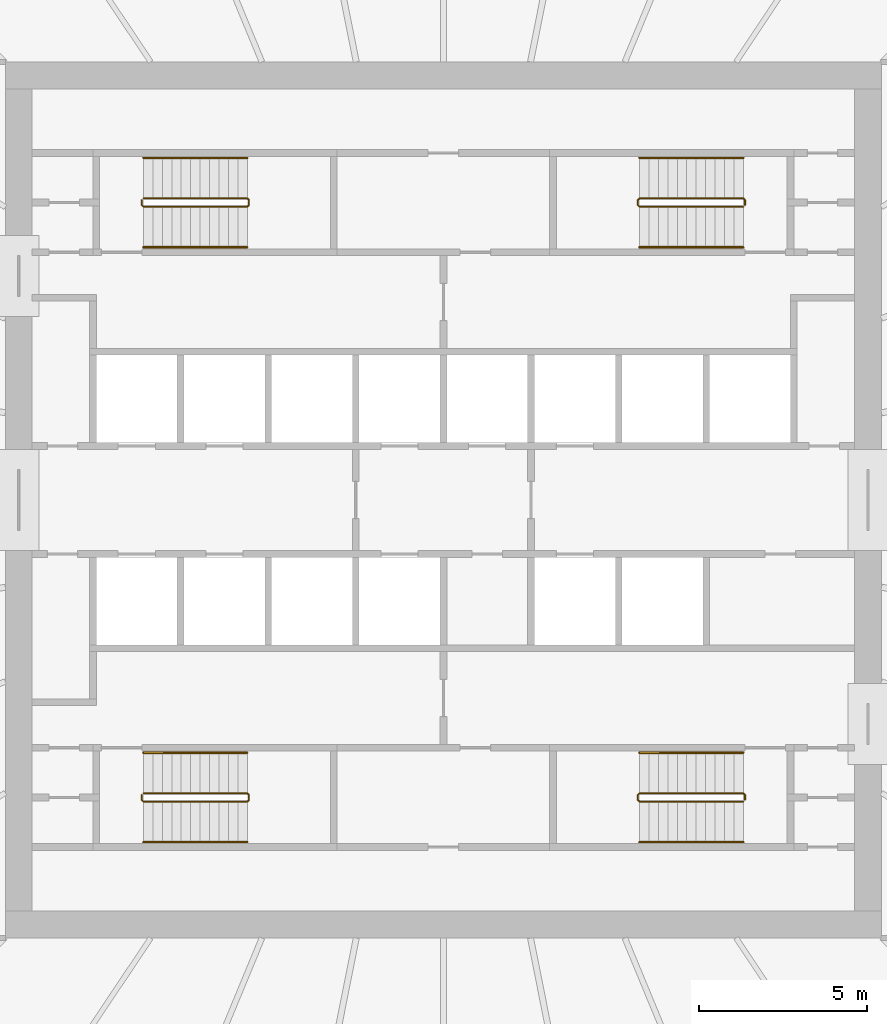
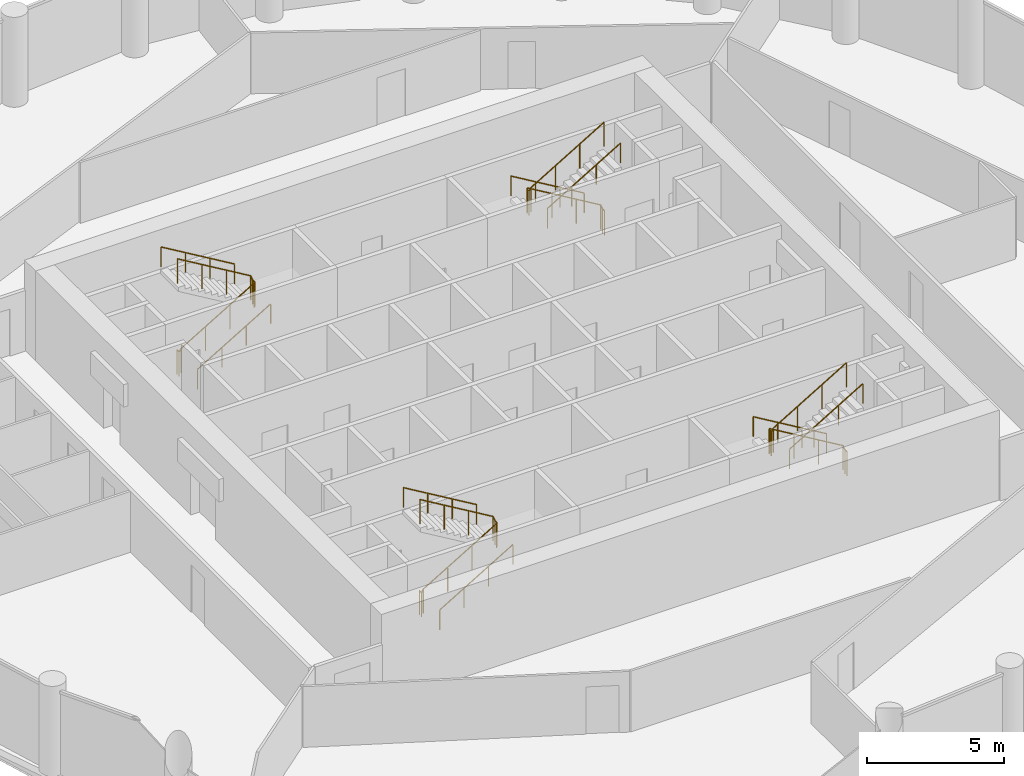
# One storey, part 8 of 8: 12 railings.
"""IFC4 building model written with IfcOpenShell, lengths in metres."""

import ifcopenshell
import ifcopenshell.guid

model = None  # the IFC model being written
_history = None  # IfcOwnerHistory: only IFC2X3 demands one
_inside = {}  # id of a spatial element -> (the spatial element, [elements in it])
_under = {}  # id of a project, library or spatial element -> (it, [spatial elements below it])
_declared = {}  # id of a project -> (the project, [libraries it declares])
_typed = {}  # id of a type object -> (the type object, [elements of that type])
_made_of = {}  # id of a material, layer set ... -> (it, [elements and type objects made of it])


def new_model(schema):
    """Start an empty IFC model of exactly this schema.

    Asked for "IFC4X3", IfcOpenShell would pick the latest addendum, in which some entities
    have other attributes; the version numbers below select the first issue.
    IFC2X3 requires an IfcOwnerHistory on every rooted entity: one is made here for all.
    """
    global model, _history
    if schema == "IFC4X3":
        model = ifcopenshell.file(schema_version=(4, 3, 0, 0))
    else:
        model = ifcopenshell.file(schema=schema)
    _inside.clear()
    _under.clear()
    _declared.clear()
    _typed.clear()
    _made_of.clear()
    _history = None
    if model.schema == "IFC2X3":
        org = make("IfcOrganization", Name="unknown")
        user = make(
            "IfcPersonAndOrganization",
            ThePerson=make("IfcPerson", FamilyName="unknown"),
            TheOrganization=org,
        )
        app = make(
            "IfcApplication",
            ApplicationDeveloper=org,
            Version="unknown",
            ApplicationFullName="unknown",
            ApplicationIdentifier="unknown",
        )
        _history = make(
            "IfcOwnerHistory",
            OwningUser=user,
            OwningApplication=app,
            ChangeAction="ADDED",
            CreationDate=0,
        )
    return model


def make(cls, **values):
    """One entity of the class cls with the attributes given. An attribute that is None is left unset."""
    return model.create_entity(
        cls, **{name: value for name, value in values.items() if value is not None}
    )


def rooted(cls, **values):
    """An entity with a GlobalId (a new one), such as an element, a storey or a relation."""
    return make(cls, GlobalId=ifcopenshell.guid.new(), OwnerHistory=_history, **values)


def si_unit(unit_type, name, prefix=None):
    """IfcSIUnit, for example si_unit("LENGTHUNIT", "METRE", prefix="MILLI")."""
    return make("IfcSIUnit", UnitType=unit_type, Prefix=prefix, Name=name)


def assignment(units):
    """IfcUnitAssignment: the units of a project."""
    return None if units is None else make("IfcUnitAssignment", Units=units)


def point(xyz):
    """IfcCartesianPoint."""
    return None if xyz is None else make("IfcCartesianPoint", Coordinates=xyz)


def direction(xyz):
    """IfcDirection."""
    return None if xyz is None else make("IfcDirection", DirectionRatios=xyz)


def frame(location, z_axis=None, x_axis=None):
    """IfcAxis2Placement3D, a coordinate frame: its origin and axes. An axis left out is left unset."""
    return make(
        "IfcAxis2Placement3D",
        Location=point(location),
        Axis=direction(z_axis),
        RefDirection=direction(x_axis),
    )


def frame_2d(location, x_axis=None):
    """IfcAxis2Placement2D, a coordinate frame in the plane: its origin and x axis."""
    return make(
        "IfcAxis2Placement2D", Location=point(location), RefDirection=direction(x_axis)
    )


def origin():
    """The frame at (0, 0, 0) with its axes left unset."""
    return frame((0.0, 0.0, 0.0))


def origin_2d():
    """The frame at (0, 0) in the plane with its x axis left unset."""
    return frame_2d((0.0, 0.0))


def place(relative_to, where):
    """IfcLocalPlacement: puts the frame where relative to a parent placement (None: the world)."""
    return make(
        "IfcLocalPlacement", PlacementRelTo=relative_to, RelativePlacement=where
    )


def context(
    kind, dimensions, precision=None, world=None, true_north=None, identifier=None
):
    """IfcGeometricRepresentationContext, for example the 3D "Model" context."""
    return make(
        "IfcGeometricRepresentationContext",
        ContextIdentifier=identifier,
        ContextType=kind,
        CoordinateSpaceDimension=dimensions,
        Precision=precision,
        WorldCoordinateSystem=world,
        TrueNorth=true_north,
    )


def subcontext(parent, identifier, kind, view, scale=None):
    """IfcGeometricRepresentationSubContext, for example "Body" below "Model"."""
    return make(
        "IfcGeometricRepresentationSubContext",
        ContextIdentifier=identifier,
        ContextType=kind,
        ParentContext=parent,
        TargetScale=scale,
        TargetView=view,
    )


def project(units=None, contexts=None):
    """IfcProject with its units and contexts."""
    return rooted(
        "IfcProject",
        Name="project",
        RepresentationContexts=contexts,
        UnitsInContext=assignment(units),
    )


def spatial(cls, under=None, at=None, **own):
    """A site, building, storey or space (cls), placed at a placement, below another one or the project."""
    s = rooted(cls, ObjectPlacement=at, **own)
    if under is not None:
        _under.setdefault(under.id(), (under, []))[1].append(s)
    return s


def profile(cls, at=None, kind="AREA", **sizes):
    """A parametric profile (cls). Its sizes go by their IFC names, for example OverallWidth=200.0."""
    return make(cls, ProfileType=kind, Position=at, **sizes)


def circle(**sizes):
    """IfcCircleProfileDef."""
    return profile("IfcCircleProfileDef", **sizes)


def extrude(swept, where, along, depth):
    """IfcExtrudedAreaSolid: the profile swept, set in the frame where, extruded along a direction by depth."""
    return make(
        "IfcExtrudedAreaSolid",
        SweptArea=swept,
        Position=where,
        ExtrudedDirection=direction(along),
        Depth=depth,
    )


def shape(context_of_items, identifier, shape_type, items):
    """IfcShapeRepresentation: the items that make up one representation, for example the "Body"."""
    return make(
        "IfcShapeRepresentation",
        ContextOfItems=context_of_items,
        RepresentationIdentifier=identifier,
        RepresentationType=shape_type,
        Items=items,
    )


def material(Name=None, Category=None):
    """IfcMaterial."""
    return make("IfcMaterial", Name=Name, Category=Category)


def made_of(thing, what):
    """Note that an element or type object is made of a material, layer set ...; save() writes the relation."""
    if what is not None:
        _made_of.setdefault(what.id(), (what, []))[1].append(thing)
    return thing


def type_object(cls, material=None, **own):
    """A type object (cls), such as IfcWallType, which elements share."""
    return made_of(rooted(cls, **own), material)


def element(
    cls,
    number,
    at=None,
    inside=None,
    cuts=None,
    type_object=None,
    material=None,
    context=None,
    identifier="Body",
    shape_type=None,
    held_by="IfcProductDefinitionShape",
    body=None,
    shapes=None,
    **own,
):
    """One element of the class cls, such as IfcWall. Its Tag is "e" and its number.

    at: its placement. inside: the storey or other place that contains it. cuts: it is an
    opening in that element (IfcRelVoidsElement). A single representation is given by context,
    identifier, shape_type and body (its items); several are given by shapes. held_by: the class
    of the entity that holds the representations. save() writes the other relations.
    """
    e = rooted(cls, Tag="e%d" % number, ObjectPlacement=at, **own)
    if body is not None:
        shapes = [shape(context, identifier, shape_type, body)]
    if shapes is not None:
        e.Representation = make(held_by, Representations=shapes)
    if inside is not None:
        _inside.setdefault(inside.id(), (inside, []))[1].append(e)
    if cuts is not None:
        rooted(
            "IfcRelVoidsElement", RelatingBuildingElement=cuts, RelatedOpeningElement=e
        )
    if type_object is not None:
        _typed.setdefault(type_object.id(), (type_object, []))[1].append(e)
    return made_of(e, material)


def aggregate(whole, parts):
    """IfcRelAggregates: a whole, such as a stair, and the parts it consists of."""
    return rooted("IfcRelAggregates", RelatingObject=whole, RelatedObjects=parts)


def save(model, path):
    """Write the relations noted so far, then the file.

    IfcRelAggregates (storeys below a building ...), IfcRelContainedInSpatialStructure (elements
    in a storey), IfcRelDefinesByType, IfcRelAssociatesMaterial and IfcRelDeclares: one each for
    every whole, place, type object, material and project.
    """
    for whole, parts in _under.values():
        aggregate(whole, parts)
    for where, things in _inside.values():
        rooted(
            "IfcRelContainedInSpatialStructure",
            RelatedElements=things,
            RelatingStructure=where,
        )
    for kind, things in _typed.values():
        rooted("IfcRelDefinesByType", RelatedObjects=things, RelatingType=kind)
    for what, things in _made_of.values():
        rooted("IfcRelAssociatesMaterial", RelatedObjects=things, RelatingMaterial=what)
    for by, libraries in _declared.values():
        rooted("IfcRelDeclares", RelatingContext=by, RelatedDefinitions=libraries)
    model.write(path)


model = new_model("IFC4")

# Units and contexts
model_context = context("Model", 3, precision=1e-05, world=origin(), true_north=direction((0.0, 1.0)))
body_context = subcontext(model_context, "Body", "Model", "MODEL_VIEW")
ifc_project = project(units=[si_unit("LENGTHUNIT", "METRE"), si_unit("AREAUNIT", "SQUARE_METRE"), si_unit("VOLUMEUNIT", "CUBIC_METRE"), si_unit("PLANEANGLEUNIT", "RADIAN"), si_unit("MASSUNIT", "GRAM", prefix="KILO")], contexts=[model_context])

# Site, building, storey
site_placement = place(None, origin())
site = spatial("IfcSite", under=ifc_project, at=site_placement, CompositionType="ELEMENT")
building_placement = place(site_placement, origin())
building = spatial("IfcBuilding", under=site, at=building_placement, Name="Corvane Civic Tower", CompositionType="ELEMENT")
storey_placement = place(building_placement, frame((0.0, 0.0, 241.5)))
storey = spatial("IfcBuildingStorey", under=building, at=storey_placement, Name="L57", CompositionType="ELEMENT", Elevation=241.5)

# Railings
ifc_material_1 = material(Name="Steel ASTM A572 Gr 50", Category="steel")
railing_type_1 = type_object("IfcRailingType", Name="ST-GUARD-1100", PredefinedType="GUARDRAIL", material=ifc_material_1)
railing_1_placement = place(storey_placement, frame((8.949951171875, 8.75, 0.0)))
element("IfcRailing", 1, at=railing_1_placement, inside=storey, type_object=railing_type_1, Name="L57 ST1 stair guard 1", PredefinedType="GUARDRAIL", context=body_context, shape_type="SweptSolid", body=[
    extrude(circle(Radius=0.02392578125, at=origin_2d()), frame((0.0, 0.0, 1.076171875), z_axis=(0.0, 1.0, 0.0), x_axis=(-1.0, 0.0, 0.0)), (0.0, 0.0, 1.0), 0.14990234375),
    extrude(circle(Radius=0.02392578125, at=origin_2d()), frame((0.0, 0.14990234375, 1.076171875), z_axis=(-0.27628659633, 0.27628659633, 0.920506074601), x_axis=(-0.707106781187, -0.707106781187, 0.0)), (0.0, 0.0, 1.0), 0.18115234375),
    extrude(circle(Radius=0.02392578125, at=origin_2d()), frame((-0.050048828125, 0.199951171875, 1.24267578125), z_axis=(-0.859290745958, 0.0, 0.51148745235), x_axis=(0.0, -1.0, 0.0)), (0.0, 0.0, 1.0), 3.584228515625),
    extrude(circle(Radius=0.02392578125, at=origin_2d()), frame((-3.1298828125, 0.199951171875, 3.076171875), z_axis=(-0.707106781187, -0.707106781187, 0.0), x_axis=(0.707106781187, -0.707106781187, 0.0)), (0.0, 0.0, 1.0), 0.07080078125),
    extrude(circle(Radius=0.02392578125, at=origin_2d()), frame((-3.179931640625, 0.14990234375, 3.076171875), z_axis=(0.0, -1.0, 0.0), x_axis=(1.0, 0.0, 0.0)), (0.0, 0.0, 1.0), 0.14990234375),
    extrude(circle(Radius=0.02392578125, at=origin_2d()), frame((-3.179931640625, 0.0, 3.076171875), z_axis=(0.27628659633, -0.27628659633, 0.920506074601), x_axis=(0.707106781187, 0.707106781187, 0.0)), (0.0, 0.0, 1.0), 0.18115234375),
    extrude(circle(Radius=0.02392578125, at=origin_2d()), frame((-3.1298828125, -0.050048828125, 3.24267578125), z_axis=(0.859290745958, 0.0, 0.51148745235), x_axis=(0.0, 1.0, 0.0)), (0.0, 0.0, 1.0), 3.584228515625),
    extrude(circle(Radius=0.02099609375, at=origin_2d()), origin(), (0.0, 0.0, 1.0), 1.052001953125),
    extrude(circle(Radius=0.02099609375, at=origin_2d()), frame((0.0, 0.14990234375, 0.0)), (0.0, 0.0, 1.0), 1.052001953125),
    extrude(circle(Radius=0.02099609375, at=origin_2d()), frame((-0.050048828125, 0.199951171875, 0.166748046875)), (0.0, 0.0, 1.0), 1.052001953125),
    extrude(circle(Radius=0.02099609375, at=origin_2d()), frame((-1.07666015625, 0.199951171875, 0.77783203125)), (0.0, 0.0, 1.0), 1.052001953125),
    extrude(circle(Radius=0.02099609375, at=origin_2d()), frame((-2.103271484375, 0.199951171875, 1.388916015625)), (0.0, 0.0, 1.0), 1.052001953125),
    extrude(circle(Radius=0.02099609375, at=origin_2d()), frame((-3.1298828125, 0.199951171875, 2.0)), (0.0, 0.0, 1.0), 1.052001953125),
    extrude(circle(Radius=0.02099609375, at=origin_2d()), frame((-3.179931640625, 0.14990234375, 2.0)), (0.0, 0.0, 1.0), 1.052001953125),
    extrude(circle(Radius=0.02099609375, at=origin_2d()), frame((-3.179931640625, 0.0, 2.0)), (0.0, 0.0, 1.0), 1.052001953125),
    extrude(circle(Radius=0.02099609375, at=origin_2d()), frame((-3.1298828125, -0.050048828125, 2.166748046875)), (0.0, 0.0, 1.0), 1.052001953125),
    extrude(circle(Radius=0.02099609375, at=origin_2d()), frame((-2.103271484375, -0.050048828125, 2.77783203125)), (0.0, 0.0, 1.0), 1.052001953125),
    extrude(circle(Radius=0.02099609375, at=origin_2d()), frame((-1.07666015625, -0.050048828125, 3.388916015625)), (0.0, 0.0, 1.0), 1.052001953125),
    extrude(circle(Radius=0.02099609375, at=origin_2d()), frame((-0.050048828125, -0.050048828125, 4.0)), (0.0, 0.0, 1.0), 1.052001953125),
])
railing_2_placement = place(storey_placement, frame((8.949951171875, -8.89990234375, 0.0)))
element("IfcRailing", 2, at=railing_2_placement, inside=storey, type_object=railing_type_1, Name="L57 ST2 stair guard 1", PredefinedType="GUARDRAIL", context=body_context, shape_type="SweptSolid", body=[
    extrude(circle(Radius=0.02392578125, at=origin_2d()), frame((0.0, 0.0, 1.076171875), z_axis=(0.0, 1.0, 0.0), x_axis=(-1.0, 0.0, 0.0)), (0.0, 0.0, 1.0), 0.14990234375),
    extrude(circle(Radius=0.02392578125, at=origin_2d()), frame((0.0, 0.14990234375, 1.076171875), z_axis=(-0.27628659633, 0.27628659633, 0.920506074601), x_axis=(-0.707106781187, -0.707106781187, 0.0)), (0.0, 0.0, 1.0), 0.18115234375),
    extrude(circle(Radius=0.02392578125, at=origin_2d()), frame((-0.050048828125, 0.199951171875, 1.24267578125), z_axis=(-0.859290745958, 0.0, 0.51148745235), x_axis=(0.0, -1.0, 0.0)), (0.0, 0.0, 1.0), 3.584228515625),
    extrude(circle(Radius=0.02392578125, at=origin_2d()), frame((-3.1298828125, 0.199951171875, 3.076171875), z_axis=(-0.707106781187, -0.707106781187, 0.0), x_axis=(0.707106781187, -0.707106781187, 0.0)), (0.0, 0.0, 1.0), 0.07080078125),
    extrude(circle(Radius=0.02392578125, at=origin_2d()), frame((-3.179931640625, 0.14990234375, 3.076171875), z_axis=(0.0, -1.0, 0.0), x_axis=(1.0, 0.0, 0.0)), (0.0, 0.0, 1.0), 0.14990234375),
    extrude(circle(Radius=0.02392578125, at=origin_2d()), frame((-3.179931640625, 0.0, 3.076171875), z_axis=(0.27628659633, -0.27628659633, 0.920506074601), x_axis=(0.707106781187, 0.707106781187, 0.0)), (0.0, 0.0, 1.0), 0.18115234375),
    extrude(circle(Radius=0.02392578125, at=origin_2d()), frame((-3.1298828125, -0.050048828125, 3.24267578125), z_axis=(0.859290745958, 0.0, 0.51148745235), x_axis=(0.0, 1.0, 0.0)), (0.0, 0.0, 1.0), 3.584228515625),
    extrude(circle(Radius=0.02099609375, at=origin_2d()), origin(), (0.0, 0.0, 1.0), 1.052001953125),
    extrude(circle(Radius=0.02099609375, at=origin_2d()), frame((0.0, 0.14990234375, 0.0)), (0.0, 0.0, 1.0), 1.052001953125),
    extrude(circle(Radius=0.02099609375, at=origin_2d()), frame((-0.050048828125, 0.199951171875, 0.166748046875)), (0.0, 0.0, 1.0), 1.052001953125),
    extrude(circle(Radius=0.02099609375, at=origin_2d()), frame((-1.07666015625, 0.199951171875, 0.77783203125)), (0.0, 0.0, 1.0), 1.052001953125),
    extrude(circle(Radius=0.02099609375, at=origin_2d()), frame((-2.103271484375, 0.199951171875, 1.388916015625)), (0.0, 0.0, 1.0), 1.052001953125),
    extrude(circle(Radius=0.02099609375, at=origin_2d()), frame((-3.1298828125, 0.199951171875, 2.0)), (0.0, 0.0, 1.0), 1.052001953125),
    extrude(circle(Radius=0.02099609375, at=origin_2d()), frame((-3.179931640625, 0.14990234375, 2.0)), (0.0, 0.0, 1.0), 1.052001953125),
    extrude(circle(Radius=0.02099609375, at=origin_2d()), frame((-3.179931640625, 0.0, 2.0)), (0.0, 0.0, 1.0), 1.052001953125),
    extrude(circle(Radius=0.02099609375, at=origin_2d()), frame((-3.1298828125, -0.050048828125, 2.166748046875)), (0.0, 0.0, 1.0), 1.052001953125),
    extrude(circle(Radius=0.02099609375, at=origin_2d()), frame((-2.103271484375, -0.050048828125, 2.77783203125)), (0.0, 0.0, 1.0), 1.052001953125),
    extrude(circle(Radius=0.02099609375, at=origin_2d()), frame((-1.07666015625, -0.050048828125, 3.388916015625)), (0.0, 0.0, 1.0), 1.052001953125),
    extrude(circle(Radius=0.02099609375, at=origin_2d()), frame((-0.050048828125, -0.050048828125, 4.0)), (0.0, 0.0, 1.0), 1.052001953125),
])
railing_3_placement = place(storey_placement, frame((-8.949951171875, -8.75, 0.0)))
element("IfcRailing", 3, at=railing_3_placement, inside=storey, type_object=railing_type_1, Name="L57 ST3 stair guard 1", PredefinedType="GUARDRAIL", context=body_context, shape_type="SweptSolid", body=[
    extrude(circle(Radius=0.02392578125, at=origin_2d()), frame((0.0, 0.0, 1.076171875), z_axis=(0.0, -1.0, 0.0), x_axis=(1.0, 0.0, 0.0)), (0.0, 0.0, 1.0), 0.14990234375),
    extrude(circle(Radius=0.02392578125, at=origin_2d()), frame((0.0, -0.14990234375, 1.076171875), z_axis=(0.27628659633, -0.27628659633, 0.920506074601), x_axis=(0.707106781187, 0.707106781187, 0.0)), (0.0, 0.0, 1.0), 0.18115234375),
    extrude(circle(Radius=0.02392578125, at=origin_2d()), frame((0.050048828125, -0.199951171875, 1.24267578125), z_axis=(0.859290745958, 0.0, 0.51148745235), x_axis=(0.0, 1.0, 0.0)), (0.0, 0.0, 1.0), 3.584228515625),
    extrude(circle(Radius=0.02392578125, at=origin_2d()), frame((3.1298828125, -0.199951171875, 3.076171875), z_axis=(0.707106781187, 0.707106781187, 0.0), x_axis=(-0.707106781187, 0.707106781187, 0.0)), (0.0, 0.0, 1.0), 0.07080078125),
    extrude(circle(Radius=0.02392578125, at=origin_2d()), frame((3.179931640625, -0.14990234375, 3.076171875), z_axis=(0.0, 1.0, 0.0), x_axis=(-1.0, 0.0, 0.0)), (0.0, 0.0, 1.0), 0.14990234375),
    extrude(circle(Radius=0.02392578125, at=origin_2d()), frame((3.179931640625, 0.0, 3.076171875), z_axis=(-0.27628659633, 0.27628659633, 0.920506074601), x_axis=(-0.707106781187, -0.707106781187, 0.0)), (0.0, 0.0, 1.0), 0.18115234375),
    extrude(circle(Radius=0.02392578125, at=origin_2d()), frame((3.1298828125, 0.050048828125, 3.24267578125), z_axis=(-0.859290745958, 0.0, 0.51148745235), x_axis=(0.0, -1.0, 0.0)), (0.0, 0.0, 1.0), 3.584228515625),
    extrude(circle(Radius=0.02099609375, at=origin_2d()), origin(), (0.0, 0.0, 1.0), 1.052001953125),
    extrude(circle(Radius=0.02099609375, at=origin_2d()), frame((0.0, -0.14990234375, 0.0)), (0.0, 0.0, 1.0), 1.052001953125),
    extrude(circle(Radius=0.02099609375, at=origin_2d()), frame((0.050048828125, -0.199951171875, 0.166748046875)), (0.0, 0.0, 1.0), 1.052001953125),
    extrude(circle(Radius=0.02099609375, at=origin_2d()), frame((1.07666015625, -0.199951171875, 0.77783203125)), (0.0, 0.0, 1.0), 1.052001953125),
    extrude(circle(Radius=0.02099609375, at=origin_2d()), frame((2.103271484375, -0.199951171875, 1.388916015625)), (0.0, 0.0, 1.0), 1.052001953125),
    extrude(circle(Radius=0.02099609375, at=origin_2d()), frame((3.1298828125, -0.199951171875, 2.0)), (0.0, 0.0, 1.0), 1.052001953125),
    extrude(circle(Radius=0.02099609375, at=origin_2d()), frame((3.179931640625, -0.14990234375, 2.0)), (0.0, 0.0, 1.0), 1.052001953125),
    extrude(circle(Radius=0.02099609375, at=origin_2d()), frame((3.179931640625, 0.0, 2.0)), (0.0, 0.0, 1.0), 1.052001953125),
    extrude(circle(Radius=0.02099609375, at=origin_2d()), frame((3.1298828125, 0.050048828125, 2.166748046875)), (0.0, 0.0, 1.0), 1.052001953125),
    extrude(circle(Radius=0.02099609375, at=origin_2d()), frame((2.103271484375, 0.050048828125, 2.77783203125)), (0.0, 0.0, 1.0), 1.052001953125),
    extrude(circle(Radius=0.02099609375, at=origin_2d()), frame((1.07666015625, 0.050048828125, 3.388916015625)), (0.0, 0.0, 1.0), 1.052001953125),
    extrude(circle(Radius=0.02099609375, at=origin_2d()), frame((0.050048828125, 0.050048828125, 4.0)), (0.0, 0.0, 1.0), 1.052001953125),
])
railing_4_placement = place(storey_placement, frame((-8.949951171875, 8.89990234375, 0.0)))
element("IfcRailing", 4, at=railing_4_placement, inside=storey, type_object=railing_type_1, Name="L57 ST4 stair guard 1", PredefinedType="GUARDRAIL", context=body_context, shape_type="SweptSolid", body=[
    extrude(circle(Radius=0.02392578125, at=origin_2d()), frame((0.0, 0.0, 1.076171875), z_axis=(0.0, -1.0, 0.0), x_axis=(1.0, 0.0, 0.0)), (0.0, 0.0, 1.0), 0.14990234375),
    extrude(circle(Radius=0.02392578125, at=origin_2d()), frame((0.0, -0.14990234375, 1.076171875), z_axis=(0.27628659633, -0.27628659633, 0.920506074601), x_axis=(0.707106781187, 0.707106781187, 0.0)), (0.0, 0.0, 1.0), 0.18115234375),
    extrude(circle(Radius=0.02392578125, at=origin_2d()), frame((0.050048828125, -0.199951171875, 1.24267578125), z_axis=(0.859290745958, 0.0, 0.51148745235), x_axis=(0.0, 1.0, 0.0)), (0.0, 0.0, 1.0), 3.584228515625),
    extrude(circle(Radius=0.02392578125, at=origin_2d()), frame((3.1298828125, -0.199951171875, 3.076171875), z_axis=(0.707106781187, 0.707106781187, 0.0), x_axis=(-0.707106781187, 0.707106781187, 0.0)), (0.0, 0.0, 1.0), 0.07080078125),
    extrude(circle(Radius=0.02392578125, at=origin_2d()), frame((3.179931640625, -0.14990234375, 3.076171875), z_axis=(0.0, 1.0, 0.0), x_axis=(-1.0, 0.0, 0.0)), (0.0, 0.0, 1.0), 0.14990234375),
    extrude(circle(Radius=0.02392578125, at=origin_2d()), frame((3.179931640625, 0.0, 3.076171875), z_axis=(-0.27628659633, 0.27628659633, 0.920506074601), x_axis=(-0.707106781187, -0.707106781187, 0.0)), (0.0, 0.0, 1.0), 0.18115234375),
    extrude(circle(Radius=0.02392578125, at=origin_2d()), frame((3.1298828125, 0.050048828125, 3.24267578125), z_axis=(-0.859290745958, 0.0, 0.51148745235), x_axis=(0.0, -1.0, 0.0)), (0.0, 0.0, 1.0), 3.584228515625),
    extrude(circle(Radius=0.02099609375, at=origin_2d()), origin(), (0.0, 0.0, 1.0), 1.052001953125),
    extrude(circle(Radius=0.02099609375, at=origin_2d()), frame((0.0, -0.14990234375, 0.0)), (0.0, 0.0, 1.0), 1.052001953125),
    extrude(circle(Radius=0.02099609375, at=origin_2d()), frame((0.050048828125, -0.199951171875, 0.166748046875)), (0.0, 0.0, 1.0), 1.052001953125),
    extrude(circle(Radius=0.02099609375, at=origin_2d()), frame((1.07666015625, -0.199951171875, 0.77783203125)), (0.0, 0.0, 1.0), 1.052001953125),
    extrude(circle(Radius=0.02099609375, at=origin_2d()), frame((2.103271484375, -0.199951171875, 1.388916015625)), (0.0, 0.0, 1.0), 1.052001953125),
    extrude(circle(Radius=0.02099609375, at=origin_2d()), frame((3.1298828125, -0.199951171875, 2.0)), (0.0, 0.0, 1.0), 1.052001953125),
    extrude(circle(Radius=0.02099609375, at=origin_2d()), frame((3.179931640625, -0.14990234375, 2.0)), (0.0, 0.0, 1.0), 1.052001953125),
    extrude(circle(Radius=0.02099609375, at=origin_2d()), frame((3.179931640625, 0.0, 2.0)), (0.0, 0.0, 1.0), 1.052001953125),
    extrude(circle(Radius=0.02099609375, at=origin_2d()), frame((3.1298828125, 0.050048828125, 2.166748046875)), (0.0, 0.0, 1.0), 1.052001953125),
    extrude(circle(Radius=0.02099609375, at=origin_2d()), frame((2.103271484375, 0.050048828125, 2.77783203125)), (0.0, 0.0, 1.0), 1.052001953125),
    extrude(circle(Radius=0.02099609375, at=origin_2d()), frame((1.07666015625, 0.050048828125, 3.388916015625)), (0.0, 0.0, 1.0), 1.052001953125),
    extrude(circle(Radius=0.02099609375, at=origin_2d()), frame((0.050048828125, 0.050048828125, 4.0)), (0.0, 0.0, 1.0), 1.052001953125),
])
ifc_material_2 = material(Name="Steel ASTM A572 Gr 50", Category="steel")
railing_type_2 = type_object("IfcRailingType", Name="ST-HANDRAIL-900", PredefinedType="HANDRAIL", material=ifc_material_2)
railing_5_placement = place(storey_placement, frame((8.89990234375, 10.14990234375, 0.166748046875)))
element("IfcRailing", 5, at=railing_5_placement, inside=storey, type_object=railing_type_2, Name="L57 ST1 stair handrail 1", PredefinedType="HANDRAIL", context=body_context, shape_type="SweptSolid", body=[
    extrude(circle(Radius=0.02392578125, at=origin_2d()), frame((0.0, 0.0, 0.8759765625), z_axis=(-0.859290745958, 0.0, 0.51148745235), x_axis=(0.0, -1.0, 0.0)), (0.0, 0.0, 1.0), 3.584228515625),
    extrude(circle(Radius=0.02099609375, at=origin_2d()), origin(), (0.0, 0.0, 1.0), 0.851806640625),
    extrude(circle(Radius=0.02099609375, at=origin_2d()), frame((-1.026611328125, 0.0, 0.611083984375)), (0.0, 0.0, 1.0), 0.851806640625),
    extrude(circle(Radius=0.02099609375, at=origin_2d()), frame((-2.05322265625, 0.0, 1.22216796875)), (0.0, 0.0, 1.0), 0.851806640625),
    extrude(circle(Radius=0.02099609375, at=origin_2d()), frame((-3.079833984375, 0.0, 1.833251953125)), (0.0, 0.0, 1.0), 0.851806640625),
])
railing_6_placement = place(storey_placement, frame((5.820068359375, 7.5, 2.166748046875)))
element("IfcRailing", 6, at=railing_6_placement, inside=storey, type_object=railing_type_2, Name="L57 ST1 stair handrail 2", PredefinedType="HANDRAIL", context=body_context, shape_type="SweptSolid", body=[
    extrude(circle(Radius=0.02392578125, at=origin_2d()), frame((0.0, 0.0, 0.8759765625), z_axis=(0.859290745958, 0.0, 0.51148745235), x_axis=(0.0, 1.0, 0.0)), (0.0, 0.0, 1.0), 3.584228515625),
    extrude(circle(Radius=0.02099609375, at=origin_2d()), origin(), (0.0, 0.0, 1.0), 0.851806640625),
    extrude(circle(Radius=0.02099609375, at=origin_2d()), frame((1.026611328125, 0.0, 0.611083984375)), (0.0, 0.0, 1.0), 0.851806640625),
    extrude(circle(Radius=0.02099609375, at=origin_2d()), frame((2.05322265625, 0.0, 1.22216796875)), (0.0, 0.0, 1.0), 0.851806640625),
    extrude(circle(Radius=0.02099609375, at=origin_2d()), frame((3.079833984375, 0.0, 1.833251953125)), (0.0, 0.0, 1.0), 0.851806640625),
])
railing_7_placement = place(storey_placement, frame((8.89990234375, -7.5, 0.166748046875)))
element("IfcRailing", 7, at=railing_7_placement, inside=storey, type_object=railing_type_2, Name="L57 ST2 stair handrail 1", PredefinedType="HANDRAIL", context=body_context, shape_type="SweptSolid", body=[
    extrude(circle(Radius=0.02392578125, at=origin_2d()), frame((0.0, 0.0, 0.8759765625), z_axis=(-0.859290745958, 0.0, 0.51148745235), x_axis=(0.0, -1.0, 0.0)), (0.0, 0.0, 1.0), 3.584228515625),
    extrude(circle(Radius=0.02099609375, at=origin_2d()), origin(), (0.0, 0.0, 1.0), 0.851806640625),
    extrude(circle(Radius=0.02099609375, at=origin_2d()), frame((-1.026611328125, 0.0, 0.611083984375)), (0.0, 0.0, 1.0), 0.851806640625),
    extrude(circle(Radius=0.02099609375, at=origin_2d()), frame((-2.05322265625, 0.0, 1.22216796875)), (0.0, 0.0, 1.0), 0.851806640625),
    extrude(circle(Radius=0.02099609375, at=origin_2d()), frame((-3.079833984375, 0.0, 1.833251953125)), (0.0, 0.0, 1.0), 0.851806640625),
])
for number, where, name in (
    (8, (5.820068359375, -10.14990234375, 2.166748046875), "L57 ST2 stair handrail 2"),
    (9, (-8.89990234375, -10.14990234375, 0.166748046875), "L57 ST3 stair handrail 1"),
):
    element("IfcRailing", number, at=place(storey_placement, frame(where)), inside=storey, type_object=railing_type_2, Name=name, PredefinedType="HANDRAIL", context=body_context, shape_type="SweptSolid", body=[
        extrude(circle(Radius=0.02392578125, at=origin_2d()), frame((0.0, 0.0, 0.8759765625), z_axis=(0.859290745958, 0.0, 0.51148745235), x_axis=(0.0, 1.0, 0.0)), (0.0, 0.0, 1.0), 3.584228515625),
        extrude(circle(Radius=0.02099609375, at=origin_2d()), origin(), (0.0, 0.0, 1.0), 0.851806640625),
        extrude(circle(Radius=0.02099609375, at=origin_2d()), frame((1.026611328125, 0.0, 0.611083984375)), (0.0, 0.0, 1.0), 0.851806640625),
        extrude(circle(Radius=0.02099609375, at=origin_2d()), frame((2.05322265625, 0.0, 1.22216796875)), (0.0, 0.0, 1.0), 0.851806640625),
        extrude(circle(Radius=0.02099609375, at=origin_2d()), frame((3.079833984375, 0.0, 1.833251953125)), (0.0, 0.0, 1.0), 0.851806640625),
    ])
railing_8_placement = place(storey_placement, frame((-5.820068359375, -7.5, 2.166748046875)))
element("IfcRailing", 10, at=railing_8_placement, inside=storey, type_object=railing_type_2, Name="L57 ST3 stair handrail 2", PredefinedType="HANDRAIL", context=body_context, shape_type="SweptSolid", body=[
    extrude(circle(Radius=0.02392578125, at=origin_2d()), frame((0.0, 0.0, 0.8759765625), z_axis=(-0.859290745958, 0.0, 0.51148745235), x_axis=(0.0, -1.0, 0.0)), (0.0, 0.0, 1.0), 3.584228515625),
    extrude(circle(Radius=0.02099609375, at=origin_2d()), origin(), (0.0, 0.0, 1.0), 0.851806640625),
    extrude(circle(Radius=0.02099609375, at=origin_2d()), frame((-1.026611328125, 0.0, 0.611083984375)), (0.0, 0.0, 1.0), 0.851806640625),
    extrude(circle(Radius=0.02099609375, at=origin_2d()), frame((-2.05322265625, 0.0, 1.22216796875)), (0.0, 0.0, 1.0), 0.851806640625),
    extrude(circle(Radius=0.02099609375, at=origin_2d()), frame((-3.079833984375, 0.0, 1.833251953125)), (0.0, 0.0, 1.0), 0.851806640625),
])
railing_9_placement = place(storey_placement, frame((-8.89990234375, 7.5, 0.166748046875)))
element("IfcRailing", 11, at=railing_9_placement, inside=storey, type_object=railing_type_2, Name="L57 ST4 stair handrail 1", PredefinedType="HANDRAIL", context=body_context, shape_type="SweptSolid", body=[
    extrude(circle(Radius=0.02392578125, at=origin_2d()), frame((0.0, 0.0, 0.8759765625), z_axis=(0.859290745958, 0.0, 0.51148745235), x_axis=(0.0, 1.0, 0.0)), (0.0, 0.0, 1.0), 3.584228515625),
    extrude(circle(Radius=0.02099609375, at=origin_2d()), origin(), (0.0, 0.0, 1.0), 0.851806640625),
    extrude(circle(Radius=0.02099609375, at=origin_2d()), frame((1.026611328125, 0.0, 0.611083984375)), (0.0, 0.0, 1.0), 0.851806640625),
    extrude(circle(Radius=0.02099609375, at=origin_2d()), frame((2.05322265625, 0.0, 1.22216796875)), (0.0, 0.0, 1.0), 0.851806640625),
    extrude(circle(Radius=0.02099609375, at=origin_2d()), frame((3.079833984375, 0.0, 1.833251953125)), (0.0, 0.0, 1.0), 0.851806640625),
])
railing_10_placement = place(storey_placement, frame((-5.820068359375, 10.14990234375, 2.166748046875)))
element("IfcRailing", 12, at=railing_10_placement, inside=storey, type_object=railing_type_2, Name="L57 ST4 stair handrail 2", PredefinedType="HANDRAIL", context=body_context, shape_type="SweptSolid", body=[
    extrude(circle(Radius=0.02392578125, at=origin_2d()), frame((0.0, 0.0, 0.8759765625), z_axis=(-0.859290745958, 0.0, 0.51148745235), x_axis=(0.0, -1.0, 0.0)), (0.0, 0.0, 1.0), 3.584228515625),
    extrude(circle(Radius=0.02099609375, at=origin_2d()), origin(), (0.0, 0.0, 1.0), 0.851806640625),
    extrude(circle(Radius=0.02099609375, at=origin_2d()), frame((-1.026611328125, 0.0, 0.611083984375)), (0.0, 0.0, 1.0), 0.851806640625),
    extrude(circle(Radius=0.02099609375, at=origin_2d()), frame((-2.05322265625, 0.0, 1.22216796875)), (0.0, 0.0, 1.0), 0.851806640625),
    extrude(circle(Radius=0.02099609375, at=origin_2d()), frame((-3.079833984375, 0.0, 1.833251953125)), (0.0, 0.0, 1.0), 0.851806640625),
])

save(model, "model.ifc")
